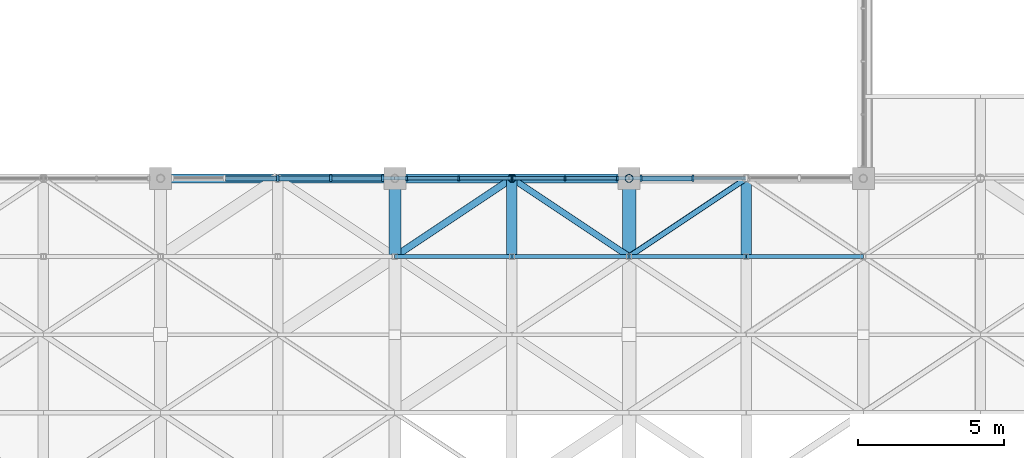
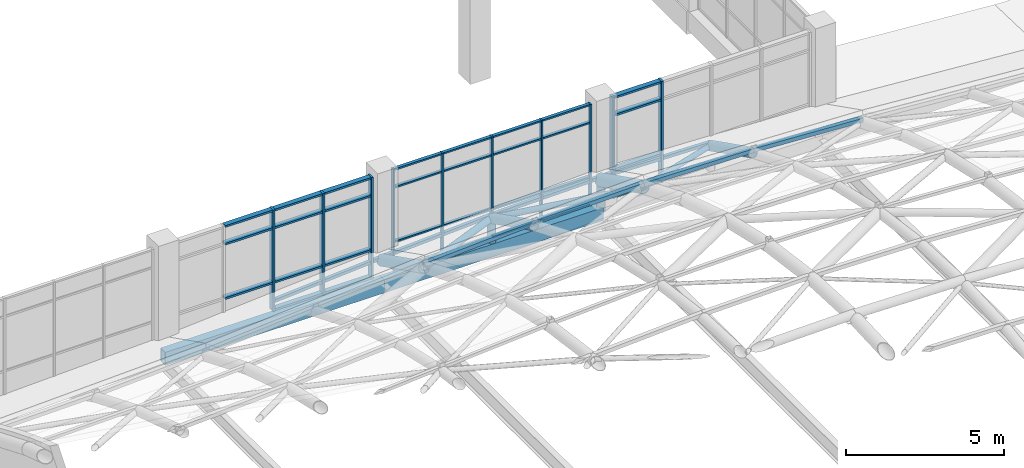
# One storey, part 33 of 72: 54 members, 6 beams, 3 elements without a shape of their own.
"""IFC4 building model written with IfcOpenShell, lengths in metres."""

import ifcopenshell
import ifcopenshell.guid

model = None  # the IFC model being written
_history = None  # IfcOwnerHistory: only IFC2X3 demands one
_inside = {}  # id of a spatial element -> (the spatial element, [elements in it])
_under = {}  # id of a project, library or spatial element -> (it, [spatial elements below it])
_declared = {}  # id of a project -> (the project, [libraries it declares])
_typed = {}  # id of a type object -> (the type object, [elements of that type])
_made_of = {}  # id of a material, layer set ... -> (it, [elements and type objects made of it])


def new_model(schema):
    """Start an empty IFC model of exactly this schema.

    Asked for "IFC4X3", IfcOpenShell would pick the latest addendum, in which some entities
    have other attributes; the version numbers below select the first issue.
    IFC2X3 requires an IfcOwnerHistory on every rooted entity: one is made here for all.
    """
    global model, _history
    if schema == "IFC4X3":
        model = ifcopenshell.file(schema_version=(4, 3, 0, 0))
    else:
        model = ifcopenshell.file(schema=schema)
    _inside.clear()
    _under.clear()
    _declared.clear()
    _typed.clear()
    _made_of.clear()
    _history = None
    if model.schema == "IFC2X3":
        org = make("IfcOrganization", Name="unknown")
        user = make(
            "IfcPersonAndOrganization",
            ThePerson=make("IfcPerson", FamilyName="unknown"),
            TheOrganization=org,
        )
        app = make(
            "IfcApplication",
            ApplicationDeveloper=org,
            Version="unknown",
            ApplicationFullName="unknown",
            ApplicationIdentifier="unknown",
        )
        _history = make(
            "IfcOwnerHistory",
            OwningUser=user,
            OwningApplication=app,
            ChangeAction="ADDED",
            CreationDate=0,
        )
    return model


def make(cls, **values):
    """One entity of the class cls with the attributes given. An attribute that is None is left unset."""
    return model.create_entity(
        cls, **{name: value for name, value in values.items() if value is not None}
    )


def rooted(cls, **values):
    """An entity with a GlobalId (a new one), such as an element, a storey or a relation."""
    return make(cls, GlobalId=ifcopenshell.guid.new(), OwnerHistory=_history, **values)


def si_unit(unit_type, name, prefix=None):
    """IfcSIUnit, for example si_unit("LENGTHUNIT", "METRE", prefix="MILLI")."""
    return make("IfcSIUnit", UnitType=unit_type, Prefix=prefix, Name=name)


def assignment(units):
    """IfcUnitAssignment: the units of a project."""
    return None if units is None else make("IfcUnitAssignment", Units=units)


def point(xyz):
    """IfcCartesianPoint."""
    return None if xyz is None else make("IfcCartesianPoint", Coordinates=xyz)


def direction(xyz):
    """IfcDirection."""
    return None if xyz is None else make("IfcDirection", DirectionRatios=xyz)


def frame(location, z_axis=None, x_axis=None):
    """IfcAxis2Placement3D, a coordinate frame: its origin and axes. An axis left out is left unset."""
    return make(
        "IfcAxis2Placement3D",
        Location=point(location),
        Axis=direction(z_axis),
        RefDirection=direction(x_axis),
    )


def frame_2d(location, x_axis=None):
    """IfcAxis2Placement2D, a coordinate frame in the plane: its origin and x axis."""
    return make(
        "IfcAxis2Placement2D", Location=point(location), RefDirection=direction(x_axis)
    )


def origin():
    """The frame at (0, 0, 0) with its axes left unset."""
    return frame((0.0, 0.0, 0.0))


def origin_2d():
    """The frame at (0, 0) in the plane with its x axis left unset."""
    return frame_2d((0.0, 0.0))


def place(relative_to, where):
    """IfcLocalPlacement: puts the frame where relative to a parent placement (None: the world)."""
    return make(
        "IfcLocalPlacement", PlacementRelTo=relative_to, RelativePlacement=where
    )


def context(
    kind, dimensions, precision=None, world=None, true_north=None, identifier=None
):
    """IfcGeometricRepresentationContext, for example the 3D "Model" context."""
    return make(
        "IfcGeometricRepresentationContext",
        ContextIdentifier=identifier,
        ContextType=kind,
        CoordinateSpaceDimension=dimensions,
        Precision=precision,
        WorldCoordinateSystem=world,
        TrueNorth=true_north,
    )


def subcontext(parent, identifier, kind, view, scale=None):
    """IfcGeometricRepresentationSubContext, for example "Body" below "Model"."""
    return make(
        "IfcGeometricRepresentationSubContext",
        ContextIdentifier=identifier,
        ContextType=kind,
        ParentContext=parent,
        TargetScale=scale,
        TargetView=view,
    )


def project(units=None, contexts=None):
    """IfcProject with its units and contexts."""
    return rooted(
        "IfcProject",
        Name="project",
        RepresentationContexts=contexts,
        UnitsInContext=assignment(units),
    )


def spatial(cls, under=None, at=None, **own):
    """A site, building, storey or space (cls), placed at a placement, below another one or the project."""
    s = rooted(cls, ObjectPlacement=at, **own)
    if under is not None:
        _under.setdefault(under.id(), (under, []))[1].append(s)
    return s


def profile(cls, at=None, kind="AREA", **sizes):
    """A parametric profile (cls). Its sizes go by their IFC names, for example OverallWidth=200.0."""
    return make(cls, ProfileType=kind, Position=at, **sizes)


def rectangle(**sizes):
    """IfcRectangleProfileDef."""
    return profile("IfcRectangleProfileDef", **sizes)


def hollow_rectangle(**sizes):
    """IfcRectangleHollowProfileDef."""
    return profile("IfcRectangleHollowProfileDef", **sizes)


def hollow_circle(**sizes):
    """IfcCircleHollowProfileDef."""
    return profile("IfcCircleHollowProfileDef", **sizes)


def extrude(swept, where, along, depth):
    """IfcExtrudedAreaSolid: the profile swept, set in the frame where, extruded along a direction by depth."""
    return make(
        "IfcExtrudedAreaSolid",
        SweptArea=swept,
        Position=where,
        ExtrudedDirection=direction(along),
        Depth=depth,
    )


def shape(context_of_items, identifier, shape_type, items):
    """IfcShapeRepresentation: the items that make up one representation, for example the "Body"."""
    return make(
        "IfcShapeRepresentation",
        ContextOfItems=context_of_items,
        RepresentationIdentifier=identifier,
        RepresentationType=shape_type,
        Items=items,
    )


def material(Name=None, Category=None):
    """IfcMaterial."""
    return make("IfcMaterial", Name=Name, Category=Category)


def material_profile(
    of_material, cross_section, Name=None, Category=None, Priority=None
):
    """IfcMaterialProfile: a cross section and its material."""
    return make(
        "IfcMaterialProfile",
        Name=Name,
        Material=of_material,
        Profile=cross_section,
        Priority=Priority,
        Category=Category,
    )


def profile_set(profiles, Name=None, composite=None):
    """IfcMaterialProfileSet."""
    return make(
        "IfcMaterialProfileSet",
        Name=Name,
        MaterialProfiles=profiles,
        CompositeProfile=composite,
    )


def made_of(thing, what):
    """Note that an element or type object is made of a material, layer set ...; save() writes the relation."""
    if what is not None:
        _made_of.setdefault(what.id(), (what, []))[1].append(thing)
    return thing


def type_object(cls, material=None, **own):
    """A type object (cls), such as IfcWallType, which elements share."""
    return made_of(rooted(cls, **own), material)


def element(
    cls,
    number,
    at=None,
    inside=None,
    cuts=None,
    type_object=None,
    material=None,
    context=None,
    identifier="Body",
    shape_type=None,
    held_by="IfcProductDefinitionShape",
    body=None,
    shapes=None,
    **own,
):
    """One element of the class cls, such as IfcWall. Its Tag is "e" and its number.

    at: its placement. inside: the storey or other place that contains it. cuts: it is an
    opening in that element (IfcRelVoidsElement). A single representation is given by context,
    identifier, shape_type and body (its items); several are given by shapes. held_by: the class
    of the entity that holds the representations. save() writes the other relations.
    """
    e = rooted(cls, Tag="e%d" % number, ObjectPlacement=at, **own)
    if body is not None:
        shapes = [shape(context, identifier, shape_type, body)]
    if shapes is not None:
        e.Representation = make(held_by, Representations=shapes)
    if inside is not None:
        _inside.setdefault(inside.id(), (inside, []))[1].append(e)
    if cuts is not None:
        rooted(
            "IfcRelVoidsElement", RelatingBuildingElement=cuts, RelatedOpeningElement=e
        )
    if type_object is not None:
        _typed.setdefault(type_object.id(), (type_object, []))[1].append(e)
    return made_of(e, material)


def aggregate(whole, parts):
    """IfcRelAggregates: a whole, such as a stair, and the parts it consists of."""
    return rooted("IfcRelAggregates", RelatingObject=whole, RelatedObjects=parts)


def save(model, path):
    """Write the relations noted so far, then the file.

    IfcRelAggregates (storeys below a building ...), IfcRelContainedInSpatialStructure (elements
    in a storey), IfcRelDefinesByType, IfcRelAssociatesMaterial and IfcRelDeclares: one each for
    every whole, place, type object, material and project.
    """
    for whole, parts in _under.values():
        aggregate(whole, parts)
    for where, things in _inside.values():
        rooted(
            "IfcRelContainedInSpatialStructure",
            RelatedElements=things,
            RelatingStructure=where,
        )
    for kind, things in _typed.values():
        rooted("IfcRelDefinesByType", RelatedObjects=things, RelatingType=kind)
    for what, things in _made_of.values():
        rooted("IfcRelAssociatesMaterial", RelatedObjects=things, RelatingMaterial=what)
    for by, libraries in _declared.values():
        rooted("IfcRelDeclares", RelatingContext=by, RelatedDefinitions=libraries)
    model.write(path)


model = new_model("IFC4")

# Units and contexts
model_context = context("Model", 3, precision=1e-05, world=origin(), true_north=direction((0.0, 1.0)))
body_context = subcontext(model_context, "Body", "Model", "MODEL_VIEW")
ifc_project = project(units=[si_unit("LENGTHUNIT", "METRE"), si_unit("AREAUNIT", "SQUARE_METRE"), si_unit("VOLUMEUNIT", "CUBIC_METRE"), si_unit("PLANEANGLEUNIT", "RADIAN"), si_unit("MASSUNIT", "GRAM", prefix="KILO")], contexts=[model_context])

# Site, building, storey
site_placement = place(None, origin())
site = spatial("IfcSite", under=ifc_project, at=site_placement, CompositionType="ELEMENT")
building_placement = place(site_placement, origin())
building = spatial("IfcBuilding", under=site, at=building_placement, Name="Tenunan Teduh Sports Hall", CompositionType="ELEMENT")
storey_placement = place(building_placement, frame((0.0, 0.0, 15.0)))
storey = spatial("IfcBuildingStorey", under=building, at=storey_placement, Name="L03", CompositionType="ELEMENT", Elevation=15.0)

# Curtain wall, members
ifc_material_1 = material(Name="Anodised aluminium", Category="aluminium")
curtain_wall_type = type_object("IfcCurtainWallType", Name="CW-CLER-1", PredefinedType="NOTDEFINED", material=ifc_material_1)
curtain_wall_1_placement = place(storey_placement, origin())
curtain_wall_1 = element("IfcCurtainWall", 1, at=curtain_wall_1_placement, inside=storey, type_object=curtain_wall_type, Name="CW-CWM-150-L03-143", PredefinedType="NOTDEFINED")
ifc_material_2 = material(Name="Anodised aluminium", Category="aluminium")
ifc_material_profile_1 = material_profile(ifc_material_2, rectangle(XDim=0.06005859375, YDim=0.14990234375, at=origin_2d()), Name="CWM 60x150")
ifc_profile_set_1 = profile_set([ifc_material_profile_1], Name="Anodised aluminium")
member_type_1 = type_object("IfcMemberType", Name="CWM-150", PredefinedType="MULLION", material=ifc_profile_set_1)
member_1_placement = place(storey_placement, frame((138.405029296875, 46.0, 0.0), z_axis=(0.0, 0.0, 1.0), x_axis=(1.0, 0.0, 0.0)))
member_1 = element("IfcMember", 2, at=member_1_placement, type_object=member_type_1, Name="CW-03 mullion 1", PredefinedType="MULLION", context=body_context, shape_type="SweptSolid", body=[
    extrude(rectangle(XDim=0.06005859375, YDim=0.14990234375, at=origin_2d()), origin(), (0.0, 0.0, 1.0), 3.919921875),
])
member_2_placement = place(storey_placement, frame((140.1875, 46.0, 0.0), z_axis=(0.0, 0.0, 1.0), x_axis=(1.0, 0.0, 0.0)))
member_2 = element("IfcMember", 3, at=member_2_placement, type_object=member_type_1, Name="CW-03 mullion 2", PredefinedType="MULLION", context=body_context, shape_type="SweptSolid", body=[
    extrude(rectangle(XDim=0.06005859375, YDim=0.14990234375, at=origin_2d()), origin(), (0.0, 0.0, 1.0), 3.919921875),
])
member_3_placement = place(storey_placement, frame((142.0, 46.0, 0.0), z_axis=(0.0, 0.0, 1.0), x_axis=(1.0, 0.0, 0.0)))
member_3 = element("IfcMember", 4, at=member_3_placement, type_object=member_type_1, Name="CW-03 mullion 3", PredefinedType="MULLION", context=body_context, shape_type="SweptSolid", body=[
    extrude(rectangle(XDim=0.06005859375, YDim=0.14990234375, at=origin_2d()), origin(), (0.0, 0.0, 1.0), 3.919921875),
])
member_4_placement = place(storey_placement, frame((143.8125, 46.0, 0.0), z_axis=(0.0, 0.0, 1.0), x_axis=(1.0, 0.0, 0.0)))
member_4 = element("IfcMember", 5, at=member_4_placement, type_object=member_type_1, Name="CW-03 mullion 4", PredefinedType="MULLION", context=body_context, shape_type="SweptSolid", body=[
    extrude(rectangle(XDim=0.06005859375, YDim=0.14990234375, at=origin_2d()), origin(), (0.0, 0.0, 1.0), 3.919921875),
])
member_5_placement = place(storey_placement, frame((145.594970703125, 46.0, 0.0), z_axis=(0.0, 0.0, 1.0), x_axis=(1.0, 0.0, 0.0)))
member_5 = element("IfcMember", 6, at=member_5_placement, type_object=member_type_1, Name="CW-03 mullion 5", PredefinedType="MULLION", context=body_context, shape_type="SweptSolid", body=[
    extrude(rectangle(XDim=0.06005859375, YDim=0.14990234375, at=origin_2d()), origin(), (0.0, 0.0, 1.0), 3.919921875),
])

curtain_wall_2_placement = place(storey_placement, origin())
curtain_wall_2 = element("IfcCurtainWall", 7, at=curtain_wall_2_placement, inside=storey, type_object=curtain_wall_type, Name="CW-CWM-220-L03-141", PredefinedType="NOTDEFINED")
ifc_material_3 = material(Name="Anodised aluminium", Category="aluminium")
ifc_material_profile_2 = material_profile(ifc_material_3, rectangle(XDim=0.074951171875, YDim=0.219970703125, at=origin_2d()), Name="CWM 75x220")
ifc_profile_set_2 = profile_set([ifc_material_profile_2], Name="Anodised aluminium")
member_type_2 = type_object("IfcMemberType", Name="CWM-220", PredefinedType="MULLION", material=ifc_profile_set_2)
member_6_placement = place(storey_placement, frame((134.0, 46.0, 0.0), z_axis=(0.0, 0.0, 1.0), x_axis=(1.0, 0.0, 0.0)))
member_6 = element("IfcMember", 8, at=member_6_placement, type_object=member_type_2, Name="CW-03 mullion 3", PredefinedType="MULLION", context=body_context, shape_type="SweptSolid", body=[
    extrude(rectangle(XDim=0.074951171875, YDim=0.219970703125, at=origin_2d()), origin(), (0.0, 0.0, 1.0), 3.919921875),
])
member_7_placement = place(storey_placement, frame((135.8125, 46.0, 0.0), z_axis=(0.0, 0.0, 1.0), x_axis=(1.0, 0.0, 0.0)))
member_7 = element("IfcMember", 9, at=member_7_placement, type_object=member_type_2, Name="CW-03 mullion 4", PredefinedType="MULLION", context=body_context, shape_type="SweptSolid", body=[
    extrude(rectangle(XDim=0.074951171875, YDim=0.219970703125, at=origin_2d()), origin(), (0.0, 0.0, 1.0), 3.919921875),
])
member_8_placement = place(storey_placement, frame((137.58740234375, 46.0, 0.0), z_axis=(0.0, 0.0, 1.0), x_axis=(1.0, 0.0, 0.0)))
member_8 = element("IfcMember", 10, at=member_8_placement, type_object=member_type_2, Name="CW-03 mullion 5", PredefinedType="MULLION", context=body_context, shape_type="SweptSolid", body=[
    extrude(rectangle(XDim=0.074951171875, YDim=0.219970703125, at=origin_2d()), origin(), (0.0, 0.0, 1.0), 3.919921875),
])

curtain_wall_3_placement = place(storey_placement, origin())
curtain_wall_3 = element("IfcCurtainWall", 11, at=curtain_wall_3_placement, inside=storey, type_object=curtain_wall_type, Name="CW-CWM-220-L03-145", PredefinedType="NOTDEFINED")
member_9_placement = place(storey_placement, frame((146.41259765625, 46.0, 0.0), z_axis=(0.0, 0.0, 1.0), x_axis=(1.0, 0.0, 0.0)))
member_9 = element("IfcMember", 12, at=member_9_placement, type_object=member_type_2, Name="CW-03 mullion 1", PredefinedType="MULLION", context=body_context, shape_type="SweptSolid", body=[
    extrude(rectangle(XDim=0.074951171875, YDim=0.219970703125, at=origin_2d()), origin(), (0.0, 0.0, 1.0), 3.919921875),
])
member_10_placement = place(storey_placement, frame((148.1875, 46.0, 0.0), z_axis=(0.0, 0.0, 1.0), x_axis=(1.0, 0.0, 0.0)))
member_10 = element("IfcMember", 13, at=member_10_placement, type_object=member_type_2, Name="CW-03 mullion 2", PredefinedType="MULLION", context=body_context, shape_type="SweptSolid", body=[
    extrude(rectangle(XDim=0.074951171875, YDim=0.219970703125, at=origin_2d()), origin(), (0.0, 0.0, 1.0), 3.919921875),
])

# Member
ifc_material_4 = material(Name="Anodised aluminium", Category="aluminium")
ifc_material_profile_3 = material_profile(ifc_material_4, rectangle(XDim=0.06005859375, YDim=0.1201171875, at=origin_2d()), Name="CWT 60x120")
ifc_profile_set_3 = profile_set([ifc_material_profile_3], Name="Anodised aluminium")
member_type_3 = type_object("IfcMemberType", Name="CWT-125", PredefinedType="USERDEFINED", material=ifc_profile_set_3)
member_11_placement = place(storey_placement, frame((138.43505859375, 46.0, 0.030029296875), z_axis=(1.0, 0.0, 0.0), x_axis=(0.0, 0.0, 1.0)))
member_11 = element("IfcMember", 14, at=member_11_placement, type_object=member_type_3, Name="CW-03 transom 1.1", ObjectType="TRANSOM", PredefinedType="USERDEFINED", context=body_context, shape_type="SweptSolid", body=[
    extrude(rectangle(XDim=0.06005859375, YDim=0.1201171875, at=origin_2d()), origin(), (0.0, 0.0, 1.0), 1.722412109375),
])

member_12_placement = place(storey_placement, frame((138.43505859375, 46.0, 1.10009765625), z_axis=(1.0, 0.0, 0.0), x_axis=(0.0, 0.0, 1.0)))
member_12 = element("IfcMember", 15, at=member_12_placement, type_object=member_type_3, Name="CW-03 transom 1.2", ObjectType="TRANSOM", PredefinedType="USERDEFINED", context=body_context, shape_type="SweptSolid", body=[
    extrude(rectangle(XDim=0.06005859375, YDim=0.1201171875, at=origin_2d()), origin(), (0.0, 0.0, 1.0), 1.722412109375),
])

member_13_placement = place(storey_placement, frame((138.43505859375, 46.0, 3.199951171875), z_axis=(1.0, 0.0, 0.0), x_axis=(0.0, 0.0, 1.0)))
member_13 = element("IfcMember", 16, at=member_13_placement, type_object=member_type_3, Name="CW-03 transom 1.3", ObjectType="TRANSOM", PredefinedType="USERDEFINED", context=body_context, shape_type="SweptSolid", body=[
    extrude(rectangle(XDim=0.06005859375, YDim=0.1201171875, at=origin_2d()), origin(), (0.0, 0.0, 1.0), 1.722412109375),
])

member_14_placement = place(storey_placement, frame((138.43505859375, 46.0, 3.889892578125), z_axis=(1.0, 0.0, 0.0), x_axis=(0.0, 0.0, 1.0)))
member_14 = element("IfcMember", 17, at=member_14_placement, type_object=member_type_3, Name="CW-03 transom 1.4", ObjectType="TRANSOM", PredefinedType="USERDEFINED", context=body_context, shape_type="SweptSolid", body=[
    extrude(rectangle(XDim=0.06005859375, YDim=0.1201171875, at=origin_2d()), origin(), (0.0, 0.0, 1.0), 1.722412109375),
])

member_15_placement = place(storey_placement, frame((140.217529296875, 46.0, 0.030029296875), z_axis=(1.0, 0.0, 0.0), x_axis=(0.0, 0.0, 1.0)))
member_15 = element("IfcMember", 18, at=member_15_placement, type_object=member_type_3, Name="CW-03 transom 2.1", ObjectType="TRANSOM", PredefinedType="USERDEFINED", context=body_context, shape_type="SweptSolid", body=[
    extrude(rectangle(XDim=0.06005859375, YDim=0.1201171875, at=origin_2d()), origin(), (0.0, 0.0, 1.0), 1.75244140625),
])

member_16_placement = place(storey_placement, frame((140.217529296875, 46.0, 1.10009765625), z_axis=(1.0, 0.0, 0.0), x_axis=(0.0, 0.0, 1.0)))
member_16 = element("IfcMember", 19, at=member_16_placement, type_object=member_type_3, Name="CW-03 transom 2.2", ObjectType="TRANSOM", PredefinedType="USERDEFINED", context=body_context, shape_type="SweptSolid", body=[
    extrude(rectangle(XDim=0.06005859375, YDim=0.1201171875, at=origin_2d()), origin(), (0.0, 0.0, 1.0), 1.75244140625),
])

member_17_placement = place(storey_placement, frame((140.217529296875, 46.0, 3.199951171875), z_axis=(1.0, 0.0, 0.0), x_axis=(0.0, 0.0, 1.0)))
member_17 = element("IfcMember", 20, at=member_17_placement, type_object=member_type_3, Name="CW-03 transom 2.3", ObjectType="TRANSOM", PredefinedType="USERDEFINED", context=body_context, shape_type="SweptSolid", body=[
    extrude(rectangle(XDim=0.06005859375, YDim=0.1201171875, at=origin_2d()), origin(), (0.0, 0.0, 1.0), 1.75244140625),
])

member_18_placement = place(storey_placement, frame((140.217529296875, 46.0, 3.889892578125), z_axis=(1.0, 0.0, 0.0), x_axis=(0.0, 0.0, 1.0)))
member_18 = element("IfcMember", 21, at=member_18_placement, type_object=member_type_3, Name="CW-03 transom 2.4", ObjectType="TRANSOM", PredefinedType="USERDEFINED", context=body_context, shape_type="SweptSolid", body=[
    extrude(rectangle(XDim=0.06005859375, YDim=0.1201171875, at=origin_2d()), origin(), (0.0, 0.0, 1.0), 1.75244140625),
])

member_19_placement = place(storey_placement, frame((142.030029296875, 46.0, 0.030029296875), z_axis=(1.0, 0.0, 0.0), x_axis=(0.0, 0.0, 1.0)))
member_19 = element("IfcMember", 22, at=member_19_placement, type_object=member_type_3, Name="CW-03 transom 3.1", ObjectType="TRANSOM", PredefinedType="USERDEFINED", context=body_context, shape_type="SweptSolid", body=[
    extrude(rectangle(XDim=0.06005859375, YDim=0.1201171875, at=origin_2d()), origin(), (0.0, 0.0, 1.0), 1.75244140625),
])

member_20_placement = place(storey_placement, frame((142.030029296875, 46.0, 1.10009765625), z_axis=(1.0, 0.0, 0.0), x_axis=(0.0, 0.0, 1.0)))
member_20 = element("IfcMember", 23, at=member_20_placement, type_object=member_type_3, Name="CW-03 transom 3.2", ObjectType="TRANSOM", PredefinedType="USERDEFINED", context=body_context, shape_type="SweptSolid", body=[
    extrude(rectangle(XDim=0.06005859375, YDim=0.1201171875, at=origin_2d()), origin(), (0.0, 0.0, 1.0), 1.75244140625),
])

member_21_placement = place(storey_placement, frame((142.030029296875, 46.0, 3.199951171875), z_axis=(1.0, 0.0, 0.0), x_axis=(0.0, 0.0, 1.0)))
member_21 = element("IfcMember", 24, at=member_21_placement, type_object=member_type_3, Name="CW-03 transom 3.3", ObjectType="TRANSOM", PredefinedType="USERDEFINED", context=body_context, shape_type="SweptSolid", body=[
    extrude(rectangle(XDim=0.06005859375, YDim=0.1201171875, at=origin_2d()), origin(), (0.0, 0.0, 1.0), 1.75244140625),
])

member_22_placement = place(storey_placement, frame((142.030029296875, 46.0, 3.889892578125), z_axis=(1.0, 0.0, 0.0), x_axis=(0.0, 0.0, 1.0)))
member_22 = element("IfcMember", 25, at=member_22_placement, type_object=member_type_3, Name="CW-03 transom 3.4", ObjectType="TRANSOM", PredefinedType="USERDEFINED", context=body_context, shape_type="SweptSolid", body=[
    extrude(rectangle(XDim=0.06005859375, YDim=0.1201171875, at=origin_2d()), origin(), (0.0, 0.0, 1.0), 1.75244140625),
])

member_23_placement = place(storey_placement, frame((143.842529296875, 46.0, 0.030029296875), z_axis=(1.0, 0.0, 0.0), x_axis=(0.0, 0.0, 1.0)))
member_23 = element("IfcMember", 26, at=member_23_placement, type_object=member_type_3, Name="CW-03 transom 4.1", ObjectType="TRANSOM", PredefinedType="USERDEFINED", context=body_context, shape_type="SweptSolid", body=[
    extrude(rectangle(XDim=0.06005859375, YDim=0.1201171875, at=origin_2d()), origin(), (0.0, 0.0, 1.0), 1.722412109375),
])

member_24_placement = place(storey_placement, frame((143.842529296875, 46.0, 1.10009765625), z_axis=(1.0, 0.0, 0.0), x_axis=(0.0, 0.0, 1.0)))
member_24 = element("IfcMember", 27, at=member_24_placement, type_object=member_type_3, Name="CW-03 transom 4.2", ObjectType="TRANSOM", PredefinedType="USERDEFINED", context=body_context, shape_type="SweptSolid", body=[
    extrude(rectangle(XDim=0.06005859375, YDim=0.1201171875, at=origin_2d()), origin(), (0.0, 0.0, 1.0), 1.722412109375),
])

member_25_placement = place(storey_placement, frame((143.842529296875, 46.0, 3.199951171875), z_axis=(1.0, 0.0, 0.0), x_axis=(0.0, 0.0, 1.0)))
member_25 = element("IfcMember", 28, at=member_25_placement, type_object=member_type_3, Name="CW-03 transom 4.3", ObjectType="TRANSOM", PredefinedType="USERDEFINED", context=body_context, shape_type="SweptSolid", body=[
    extrude(rectangle(XDim=0.06005859375, YDim=0.1201171875, at=origin_2d()), origin(), (0.0, 0.0, 1.0), 1.722412109375),
])

member_26_placement = place(storey_placement, frame((143.842529296875, 46.0, 3.889892578125), z_axis=(1.0, 0.0, 0.0), x_axis=(0.0, 0.0, 1.0)))
member_26 = element("IfcMember", 29, at=member_26_placement, type_object=member_type_3, Name="CW-03 transom 4.4", ObjectType="TRANSOM", PredefinedType="USERDEFINED", context=body_context, shape_type="SweptSolid", body=[
    extrude(rectangle(XDim=0.06005859375, YDim=0.1201171875, at=origin_2d()), origin(), (0.0, 0.0, 1.0), 1.722412109375),
])

aggregate(curtain_wall_1, [member_1, member_2, member_3, member_4, member_5, member_11, member_12, member_13, member_14, member_15, member_16, member_17, member_18, member_19, member_20, member_21, member_22, member_23, member_24, member_25, member_26])

ifc_material_5 = material(Name="Anodised aluminium", Category="aluminium")
ifc_material_profile_4 = material_profile(ifc_material_5, rectangle(XDim=0.074951171875, YDim=0.179931640625, at=origin_2d()), Name="CWT 75x180")
ifc_profile_set_4 = profile_set([ifc_material_profile_4], Name="Anodised aluminium")
member_type_4 = type_object("IfcMemberType", Name="CWT-180", PredefinedType="USERDEFINED", material=ifc_profile_set_4)
member_27_placement = place(storey_placement, frame((132.22509765625, 46.0, 1.10009765625), z_axis=(1.0, 0.0, 0.0), x_axis=(0.0, 0.0, 1.0)))
member_27 = element("IfcMember", 30, at=member_27_placement, type_object=member_type_4, Name="CW-03 transom 2.2", ObjectType="TRANSOM", PredefinedType="USERDEFINED", context=body_context, shape_type="SweptSolid", body=[
    extrude(rectangle(XDim=0.074951171875, YDim=0.179931640625, at=origin_2d()), origin(), (0.0, 0.0, 1.0), 1.7373046875),
])

member_28_placement = place(storey_placement, frame((132.22509765625, 46.0, 3.199951171875), z_axis=(1.0, 0.0, 0.0), x_axis=(0.0, 0.0, 1.0)))
member_28 = element("IfcMember", 31, at=member_28_placement, type_object=member_type_4, Name="CW-03 transom 2.3", ObjectType="TRANSOM", PredefinedType="USERDEFINED", context=body_context, shape_type="SweptSolid", body=[
    extrude(rectangle(XDim=0.074951171875, YDim=0.179931640625, at=origin_2d()), origin(), (0.0, 0.0, 1.0), 1.7373046875),
])

member_29_placement = place(storey_placement, frame((132.22509765625, 46.0, 3.882568359375), z_axis=(1.0, 0.0, 0.0), x_axis=(0.0, 0.0, 1.0)))
member_29 = element("IfcMember", 32, at=member_29_placement, type_object=member_type_4, Name="CW-03 transom 2.4", ObjectType="TRANSOM", PredefinedType="USERDEFINED", context=body_context, shape_type="SweptSolid", body=[
    extrude(rectangle(XDim=0.074951171875, YDim=0.179931640625, at=origin_2d()), origin(), (0.0, 0.0, 1.0), 1.7373046875),
])

member_30_placement = place(storey_placement, frame((134.03759765625, 46.0, 0.03759765625), z_axis=(1.0, 0.0, 0.0), x_axis=(0.0, 0.0, 1.0)))
member_30 = element("IfcMember", 33, at=member_30_placement, type_object=member_type_4, Name="CW-03 transom 3.1", ObjectType="TRANSOM", PredefinedType="USERDEFINED", context=body_context, shape_type="SweptSolid", body=[
    extrude(rectangle(XDim=0.074951171875, YDim=0.179931640625, at=origin_2d()), origin(), (0.0, 0.0, 1.0), 1.7373046875),
])

member_31_placement = place(storey_placement, frame((134.03759765625, 46.0, 1.10009765625), z_axis=(1.0, 0.0, 0.0), x_axis=(0.0, 0.0, 1.0)))
member_31 = element("IfcMember", 34, at=member_31_placement, type_object=member_type_4, Name="CW-03 transom 3.2", ObjectType="TRANSOM", PredefinedType="USERDEFINED", context=body_context, shape_type="SweptSolid", body=[
    extrude(rectangle(XDim=0.074951171875, YDim=0.179931640625, at=origin_2d()), origin(), (0.0, 0.0, 1.0), 1.7373046875),
])

member_32_placement = place(storey_placement, frame((134.03759765625, 46.0, 3.199951171875), z_axis=(1.0, 0.0, 0.0), x_axis=(0.0, 0.0, 1.0)))
member_32 = element("IfcMember", 35, at=member_32_placement, type_object=member_type_4, Name="CW-03 transom 3.3", ObjectType="TRANSOM", PredefinedType="USERDEFINED", context=body_context, shape_type="SweptSolid", body=[
    extrude(rectangle(XDim=0.074951171875, YDim=0.179931640625, at=origin_2d()), origin(), (0.0, 0.0, 1.0), 1.7373046875),
])

member_33_placement = place(storey_placement, frame((134.03759765625, 46.0, 3.882568359375), z_axis=(1.0, 0.0, 0.0), x_axis=(0.0, 0.0, 1.0)))
member_33 = element("IfcMember", 36, at=member_33_placement, type_object=member_type_4, Name="CW-03 transom 3.4", ObjectType="TRANSOM", PredefinedType="USERDEFINED", context=body_context, shape_type="SweptSolid", body=[
    extrude(rectangle(XDim=0.074951171875, YDim=0.179931640625, at=origin_2d()), origin(), (0.0, 0.0, 1.0), 1.7373046875),
])

member_34_placement = place(storey_placement, frame((135.85009765625, 46.0, 0.03759765625), z_axis=(1.0, 0.0, 0.0), x_axis=(0.0, 0.0, 1.0)))
member_34 = element("IfcMember", 37, at=member_34_placement, type_object=member_type_4, Name="CW-03 transom 4.1", ObjectType="TRANSOM", PredefinedType="USERDEFINED", context=body_context, shape_type="SweptSolid", body=[
    extrude(rectangle(XDim=0.074951171875, YDim=0.179931640625, at=origin_2d()), origin(), (0.0, 0.0, 1.0), 1.699951171875),
])

member_35_placement = place(storey_placement, frame((135.85009765625, 46.0, 1.10009765625), z_axis=(1.0, 0.0, 0.0), x_axis=(0.0, 0.0, 1.0)))
member_35 = element("IfcMember", 38, at=member_35_placement, type_object=member_type_4, Name="CW-03 transom 4.2", ObjectType="TRANSOM", PredefinedType="USERDEFINED", context=body_context, shape_type="SweptSolid", body=[
    extrude(rectangle(XDim=0.074951171875, YDim=0.179931640625, at=origin_2d()), origin(), (0.0, 0.0, 1.0), 1.699951171875),
])

member_36_placement = place(storey_placement, frame((135.85009765625, 46.0, 3.199951171875), z_axis=(1.0, 0.0, 0.0), x_axis=(0.0, 0.0, 1.0)))
member_36 = element("IfcMember", 39, at=member_36_placement, type_object=member_type_4, Name="CW-03 transom 4.3", ObjectType="TRANSOM", PredefinedType="USERDEFINED", context=body_context, shape_type="SweptSolid", body=[
    extrude(rectangle(XDim=0.074951171875, YDim=0.179931640625, at=origin_2d()), origin(), (0.0, 0.0, 1.0), 1.699951171875),
])

member_37_placement = place(storey_placement, frame((135.85009765625, 46.0, 3.882568359375), z_axis=(1.0, 0.0, 0.0), x_axis=(0.0, 0.0, 1.0)))
member_37 = element("IfcMember", 40, at=member_37_placement, type_object=member_type_4, Name="CW-03 transom 4.4", ObjectType="TRANSOM", PredefinedType="USERDEFINED", context=body_context, shape_type="SweptSolid", body=[
    extrude(rectangle(XDim=0.074951171875, YDim=0.179931640625, at=origin_2d()), origin(), (0.0, 0.0, 1.0), 1.699951171875),
])

aggregate(curtain_wall_2, [member_6, member_7, member_8, member_27, member_28, member_29, member_30, member_31, member_32, member_33, member_34, member_35, member_36, member_37])

member_38_placement = place(storey_placement, frame((146.449951171875, 46.0, 0.03759765625), z_axis=(1.0, 0.0, 0.0), x_axis=(0.0, 0.0, 1.0)))
member_38 = element("IfcMember", 41, at=member_38_placement, type_object=member_type_4, Name="CW-03 transom 1.1", ObjectType="TRANSOM", PredefinedType="USERDEFINED", context=body_context, shape_type="SweptSolid", body=[
    extrude(rectangle(XDim=0.074951171875, YDim=0.179931640625, at=origin_2d()), origin(), (0.0, 0.0, 1.0), 1.699951171875),
])

member_39_placement = place(storey_placement, frame((146.449951171875, 46.0, 1.10009765625), z_axis=(1.0, 0.0, 0.0), x_axis=(0.0, 0.0, 1.0)))
member_39 = element("IfcMember", 42, at=member_39_placement, type_object=member_type_4, Name="CW-03 transom 1.2", ObjectType="TRANSOM", PredefinedType="USERDEFINED", context=body_context, shape_type="SweptSolid", body=[
    extrude(rectangle(XDim=0.074951171875, YDim=0.179931640625, at=origin_2d()), origin(), (0.0, 0.0, 1.0), 1.699951171875),
])

member_40_placement = place(storey_placement, frame((146.449951171875, 46.0, 3.199951171875), z_axis=(1.0, 0.0, 0.0), x_axis=(0.0, 0.0, 1.0)))
member_40 = element("IfcMember", 43, at=member_40_placement, type_object=member_type_4, Name="CW-03 transom 1.3", ObjectType="TRANSOM", PredefinedType="USERDEFINED", context=body_context, shape_type="SweptSolid", body=[
    extrude(rectangle(XDim=0.074951171875, YDim=0.179931640625, at=origin_2d()), origin(), (0.0, 0.0, 1.0), 1.699951171875),
])

member_41_placement = place(storey_placement, frame((146.449951171875, 46.0, 3.882568359375), z_axis=(1.0, 0.0, 0.0), x_axis=(0.0, 0.0, 1.0)))
member_41 = element("IfcMember", 44, at=member_41_placement, type_object=member_type_4, Name="CW-03 transom 1.4", ObjectType="TRANSOM", PredefinedType="USERDEFINED", context=body_context, shape_type="SweptSolid", body=[
    extrude(rectangle(XDim=0.074951171875, YDim=0.179931640625, at=origin_2d()), origin(), (0.0, 0.0, 1.0), 1.699951171875),
])

aggregate(curtain_wall_3, [member_9, member_10, member_38, member_39, member_40, member_41])

# Beams
ifc_material_6 = material(Name="Steel S355", Category="steel")
ifc_material_profile_5 = material_profile(ifc_material_6, hollow_circle(Radius=0.177734375, WallThickness=0.012451171875, at=origin_2d()), Name="CHS 355.6x12.5")
ifc_profile_set_5 = profile_set([ifc_material_profile_5], Name="Steel S355")
beam_type_1 = type_object("IfcBeamType", Name="GSB-CHS356", PredefinedType="BEAM", material=ifc_profile_set_5)
for number, where, z_axis, x_axis, name in (
    (45, (142.0, 43.333251953125, 2.0849609375), (0.0, 0.893033000477, -0.449991177756), (-1.0, 0.0, 0.0), "Gridshell Vault Arch BM-GR-04-L03-0146"),
    (46, (150.0, 43.333251953125, 2.0849609375), (0.0, 0.893033000477, -0.449991177756), (-1.0, 0.0, 0.0), "Gridshell Vault Arch BM-GR-04-L03-0172"),
):
    element("IfcBeam", number, at=place(storey_placement, frame(where, z_axis=z_axis, x_axis=x_axis)), inside=storey, type_object=beam_type_1, Name=name, PredefinedType="BEAM", context=body_context, shape_type="SweptSolid", body=[
        extrude(hollow_circle(Radius=0.177734375, WallThickness=0.012451171875, at=origin_2d()), origin(), (0.0, 0.0, 1.0), 2.986083984375),
    ])
ifc_material_7 = material(Name="Steel S355", Category="steel")
ifc_material_profile_6 = material_profile(ifc_material_7, hollow_circle(Radius=0.203125, WallThickness=0.01611328125, at=origin_2d()), Name="CHS 406.4x16.0")
ifc_profile_set_6 = profile_set([ifc_material_profile_6], Name="Steel S355")
beam_type_2 = type_object("IfcBeamType", Name="GSB-CHS406", PredefinedType="BEAM", material=ifc_profile_set_6)
beam_1_placement = place(storey_placement, frame((138.0, 43.333251953125, 1.8623046875), z_axis=(0.0, 0.893033000477, -0.449991177756), x_axis=(-1.0, 0.0, 0.0)))
element("IfcBeam", 47, at=beam_1_placement, inside=storey, type_object=beam_type_2, Name="Gridshell Vault Arch BM-GA-02-L03-0133", PredefinedType="BEAM", context=body_context, shape_type="SweptSolid", body=[
    extrude(hollow_circle(Radius=0.203125, WallThickness=0.01611328125, at=origin_2d()), origin(), (0.0, 0.0, 1.0), 2.986083984375),
])
ifc_material_8 = material(Name="Steel S355", Category="steel")
ifc_material_profile_7 = material_profile(ifc_material_8, hollow_circle(Radius=0.228515625, WallThickness=0.01611328125, at=origin_2d()), Name="CHS 457.0x16.0")
ifc_profile_set_7 = profile_set([ifc_material_profile_7], Name="Steel S355")
beam_type_3 = type_object("IfcBeamType", Name="GSB-CHS457", PredefinedType="BEAM", material=ifc_profile_set_7)
beam_2_placement = place(storey_placement, frame((146.0, 43.333251953125, 2.1630859375), z_axis=(0.0, 0.893033000477, -0.449991177756), x_axis=(-1.0, 0.0, 0.0)))
element("IfcBeam", 48, at=beam_2_placement, inside=storey, type_object=beam_type_3, Name="Gridshell Vault Arch BM-GA-01-L03-0159", PredefinedType="BEAM", context=body_context, shape_type="SweptSolid", body=[
    extrude(hollow_circle(Radius=0.228515625, WallThickness=0.01611328125, at=origin_2d()), origin(), (0.0, 0.0, 1.0), 2.986083984375),
])

# Members
ifc_material_9 = material(Name="Steel S355", Category="steel")
ifc_material_profile_8 = material_profile(ifc_material_9, hollow_circle(Radius=0.096923828125, WallThickness=0.008056640625, at=origin_2d()), Name="CHS 193.7x8.0")
ifc_profile_set_8 = profile_set([ifc_material_profile_8], Name="Steel S355")
member_type_5 = type_object("IfcMemberType", Name="MEM-BR-CHS194", PredefinedType="BRACE", material=ifc_profile_set_8)
member_42_placement = place(storey_placement, frame((146.0, 43.333251953125, 2.1630859375), z_axis=(0.79787610942, 0.531933639111, -0.28362002327), x_axis=(-0.554711915519, 0.832042481356, 0.0)))
element("IfcMember", 49, at=member_42_placement, inside=storey, type_object=member_type_5, Name="MEM-GD-03-L03-0275", PredefinedType="BRACE", context=body_context, shape_type="SweptSolid", body=[
    extrude(hollow_circle(Radius=0.096923828125, WallThickness=0.008056640625, at=origin_2d()), origin(), (0.0, 0.0, 1.0), 5.013427734375),
])
ifc_material_10 = material(Name="Steel S355", Category="steel")
ifc_material_profile_9 = material_profile(ifc_material_10, hollow_circle(Radius=0.109619140625, WallThickness=0.010009765625, at=origin_2d()), Name="CHS 219.1x10.0")
ifc_profile_set_9 = profile_set([ifc_material_profile_9], Name="Steel S355")
member_type_6 = type_object("IfcMemberType", Name="MEM-BR-CHS219", PredefinedType="BRACE", material=ifc_profile_set_9)
member_43_placement = place(storey_placement, frame((142.0, 46.0, 0.7412109375), z_axis=(0.79787610942, -0.531933639111, 0.28362002327), x_axis=(0.554711915519, 0.832042481356, 0.0)))
element("IfcMember", 50, at=member_43_placement, inside=storey, type_object=member_type_6, Name="MEM-GD-02-L03-0249", PredefinedType="BRACE", context=body_context, shape_type="SweptSolid", body=[
    extrude(hollow_circle(Radius=0.109619140625, WallThickness=0.010009765625, at=origin_2d()), origin(), (0.0, 0.0, 1.0), 5.013427734375),
])
ifc_material_11 = material(Name="Steel S355", Category="steel")
ifc_material_profile_10 = material_profile(ifc_material_11, hollow_circle(Radius=0.122314453125, WallThickness=0.010009765625, at=origin_2d()), Name="CHS 244.5x10.0")
ifc_profile_set_10 = profile_set([ifc_material_profile_10], Name="Steel S355")
member_type_7 = type_object("IfcMemberType", Name="MEM-BR-CHS245", PredefinedType="BRACE", material=ifc_profile_set_10)
member_44_placement = place(storey_placement, frame((138.0, 43.333251953125, 1.8623046875), z_axis=(0.810301264232, 0.540217328443, -0.227105920737), x_axis=(-0.554711915519, 0.832042481356, 0.0)))
element("IfcMember", 51, at=member_44_placement, inside=storey, type_object=member_type_7, Name="MEM-GD-01-L03-0223", PredefinedType="BRACE", context=body_context, shape_type="SweptSolid", body=[
    extrude(hollow_circle(Radius=0.122314453125, WallThickness=0.010009765625, at=origin_2d()), origin(), (0.0, 0.0, 1.0), 4.9365234375),
])
ifc_material_12 = material(Name="Steel S355", Category="steel")
ifc_material_profile_11 = material_profile(ifc_material_12, hollow_rectangle(XDim=0.1201171875, YDim=0.1201171875, WallThickness=0.00634765625, at=origin_2d()), Name="SHS 120x120x6.3")
ifc_profile_set_11 = profile_set([ifc_material_profile_11], Name="Steel S355")
member_type_8 = type_object("IfcMemberType", Name="MEM-PR-SHS120", PredefinedType="PURLIN", material=ifc_profile_set_11)
member_45_placement = place(storey_placement, frame((134.0, 46.0, 0.341552734375), z_axis=(0.997257115114, 0.0, 0.074015176512), x_axis=(0.0, 1.0, 0.0)))
element("IfcMember", 52, at=member_45_placement, inside=storey, type_object=member_type_8, Name="MEM-PR-02-L03-0185", PredefinedType="PURLIN", context=body_context, shape_type="SweptSolid", body=[
    extrude(hollow_rectangle(XDim=0.1201171875, YDim=0.1201171875, WallThickness=0.00634765625, at=origin_2d()), origin(), (0.0, 0.0, 1.0), 4.010986328125),
])
member_46_placement = place(storey_placement, frame((138.0, 46.0, 0.638427734375), z_axis=(0.998454347037, 0.0, 0.055578025177), x_axis=(0.0, 1.0, 0.0)))
element("IfcMember", 53, at=member_46_placement, inside=storey, type_object=member_type_8, Name="MEM-PR-02-L03-0211", PredefinedType="PURLIN", context=body_context, shape_type="SweptSolid", body=[
    extrude(hollow_rectangle(XDim=0.1201171875, YDim=0.1201171875, WallThickness=0.00634765625, at=origin_2d()), origin(), (0.0, 0.0, 1.0), 4.006103515625),
])
for number, where, z_axis, x_axis, name in (
    (54, (142.0, 46.0, 0.861083984375), (0.999809319689, 0.0, 0.019527525775), (0.0, 1.0, 0.0), "MEM-PR-02-L03-0237"),
    (55, (146.0, 46.0, 0.939208984375), (0.999809319689, 0.0, -0.019527525775), (0.0, 1.0, 0.0), "MEM-PR-02-L03-0263"),
):
    element("IfcMember", number, at=place(storey_placement, frame(where, z_axis=z_axis, x_axis=x_axis)), inside=storey, type_object=member_type_8, Name=name, PredefinedType="PURLIN", context=body_context, shape_type="SweptSolid", body=[
        extrude(hollow_rectangle(XDim=0.1201171875, YDim=0.1201171875, WallThickness=0.00634765625, at=origin_2d()), origin(), (0.0, 0.0, 1.0), 4.000732421875),
    ])
ifc_material_13 = material(Name="Steel S355", Category="steel")
ifc_material_profile_12 = material_profile(ifc_material_13, hollow_rectangle(XDim=0.14990234375, YDim=0.14990234375, WallThickness=0.008056640625, at=origin_2d()), Name="SHS 150x150x8.0")
ifc_profile_set_12 = profile_set([ifc_material_profile_12], Name="Steel S355")
member_type_9 = type_object("IfcMemberType", Name="MEM-PR-SHS150", PredefinedType="PURLIN", material=ifc_profile_set_12)
member_47_placement = place(storey_placement, frame((138.0, 43.333251953125, 1.982177734375), z_axis=(0.998454347037, 0.0, 0.055578025177), x_axis=(0.0, 1.0, 0.0)))
element("IfcMember", 56, at=member_47_placement, inside=storey, type_object=member_type_9, Name="MEM-PR-01-L03-0210", PredefinedType="PURLIN", context=body_context, shape_type="SweptSolid", body=[
    extrude(hollow_rectangle(XDim=0.14990234375, YDim=0.14990234375, WallThickness=0.008056640625, at=origin_2d()), origin(), (0.0, 0.0, 1.0), 4.006103515625),
])
for number, where, z_axis, x_axis, name in (
    (57, (142.0, 43.333251953125, 2.204833984375), (0.999809319689, 0.0, 0.019527525775), (0.0, 1.0, 0.0), "MEM-PR-01-L03-0236"),
    (58, (146.0, 43.333251953125, 2.282958984375), (0.999809319689, 0.0, -0.019527525775), (0.0, 1.0, 0.0), "MEM-PR-01-L03-0262"),
):
    element("IfcMember", number, at=place(storey_placement, frame(where, z_axis=z_axis, x_axis=x_axis)), inside=storey, type_object=member_type_9, Name=name, PredefinedType="PURLIN", context=body_context, shape_type="SweptSolid", body=[
        extrude(hollow_rectangle(XDim=0.14990234375, YDim=0.14990234375, WallThickness=0.008056640625, at=origin_2d()), origin(), (0.0, 0.0, 1.0), 4.000732421875),
    ])
member_48_placement = place(storey_placement, frame((150.0, 43.333251953125, 2.204833984375), z_axis=(0.998454347037, 0.0, -0.055578025177), x_axis=(0.0, 1.0, 0.0)))
element("IfcMember", 59, at=member_48_placement, inside=storey, type_object=member_type_9, Name="MEM-PR-01-L03-0288", PredefinedType="PURLIN", context=body_context, shape_type="SweptSolid", body=[
    extrude(hollow_rectangle(XDim=0.14990234375, YDim=0.14990234375, WallThickness=0.008056640625, at=origin_2d()), origin(), (0.0, 0.0, 1.0), 4.006103515625),
])
ifc_material_14 = material(Name="Steel S355", Category="steel")
ifc_material_profile_13 = material_profile(ifc_material_14, hollow_circle(Radius=0.136474609375, WallThickness=0.010009765625, at=origin_2d()), Name="CHS 273.0x10.0")
ifc_profile_set_13 = profile_set([ifc_material_profile_13], Name="Steel S355")
member_type_10 = type_object("IfcMemberType", Name="MEM-ST-CHS273", PredefinedType="STRUT", material=ifc_profile_set_13)
member_49_placement = place(storey_placement, frame((142.0, 46.0, -0.35009765625), z_axis=(0.0, 0.0, 1.0), x_axis=(1.0, 0.0, 0.0)))
element("IfcMember", 60, at=member_49_placement, inside=storey, type_object=member_type_10, Name="MEM-VS-04-L03-0037", PredefinedType="STRUT", context=body_context, shape_type="SweptSolid", body=[
    extrude(hollow_circle(Radius=0.136474609375, WallThickness=0.010009765625, at=origin_2d()), origin(), (0.0, 0.0, 1.0), 1.09130859375),
])
member_50_placement = place(storey_placement, frame((146.0, 46.0, -0.35009765625), z_axis=(0.0, 0.0, 1.0), x_axis=(1.0, 0.0, 0.0)))
element("IfcMember", 61, at=member_50_placement, inside=storey, type_object=member_type_10, Name="MEM-VS-04-L03-0044", PredefinedType="STRUT", context=body_context, shape_type="SweptSolid", body=[
    extrude(hollow_circle(Radius=0.136474609375, WallThickness=0.010009765625, at=origin_2d()), origin(), (0.0, 0.0, 1.0), 1.16943359375),
])

# Beams
ifc_material_15 = material(Name="Steel S355", Category="steel")
ifc_material_profile_14 = material_profile(ifc_material_15, hollow_rectangle(XDim=0.300048828125, YDim=0.5, WallThickness=0.01611328125, at=origin_2d()), Name="RHS 500x300x16.0")
ifc_profile_set_14 = profile_set([ifc_material_profile_14], Name="Steel S355")
beam_type_4 = type_object("IfcBeamType", Name="RBM-RHS500", PredefinedType="SPANDREL", material=ifc_profile_set_14)
for number, where, z_axis, x_axis, name in (
    (62, (130.0, 46.0, -0.409912109375), (1.0, 0.0, 0.0), (0.0, 1.0, 0.0), "Perimeter Ring Beam BM-RB-01-L03-0047"),
    (63, (138.0, 46.0, -0.409912109375), (1.0, 0.0, 0.0), (0.0, 1.0, 0.0), "Perimeter Ring Beam BM-RB-01-L03-0049"),
):
    element("IfcBeam", number, at=place(storey_placement, frame(where, z_axis=z_axis, x_axis=x_axis)), inside=storey, type_object=beam_type_4, Name=name, PredefinedType="SPANDREL", context=body_context, shape_type="SweptSolid", body=[
        extrude(hollow_rectangle(XDim=0.300048828125, YDim=0.5, WallThickness=0.01611328125, at=origin_2d()), origin(), (0.0, 0.0, 1.0), 8.0),
    ])

save(model, "model.ifc")
